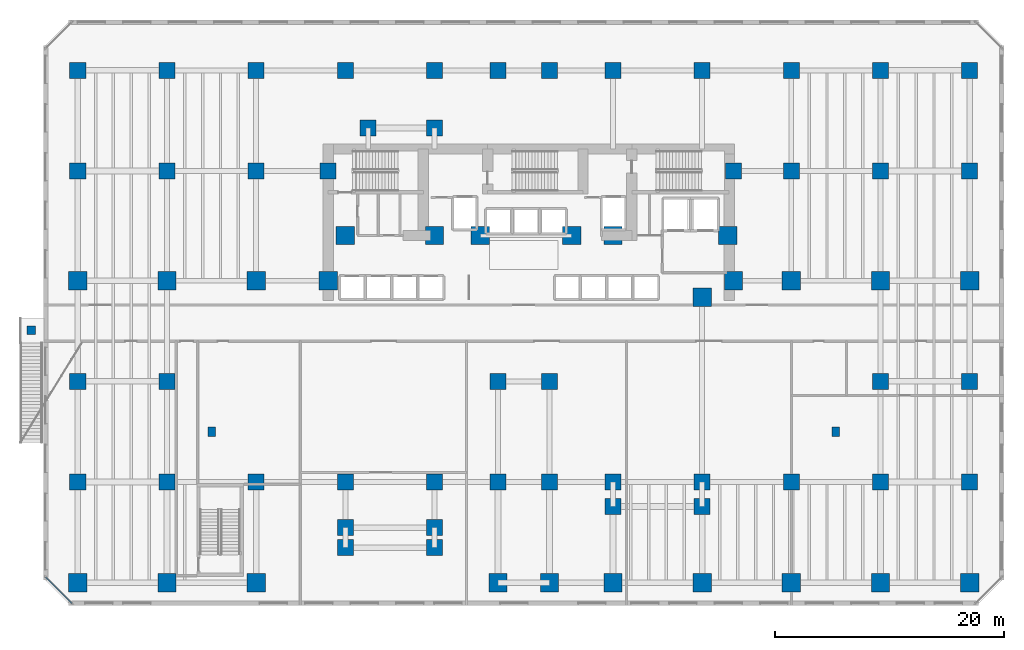
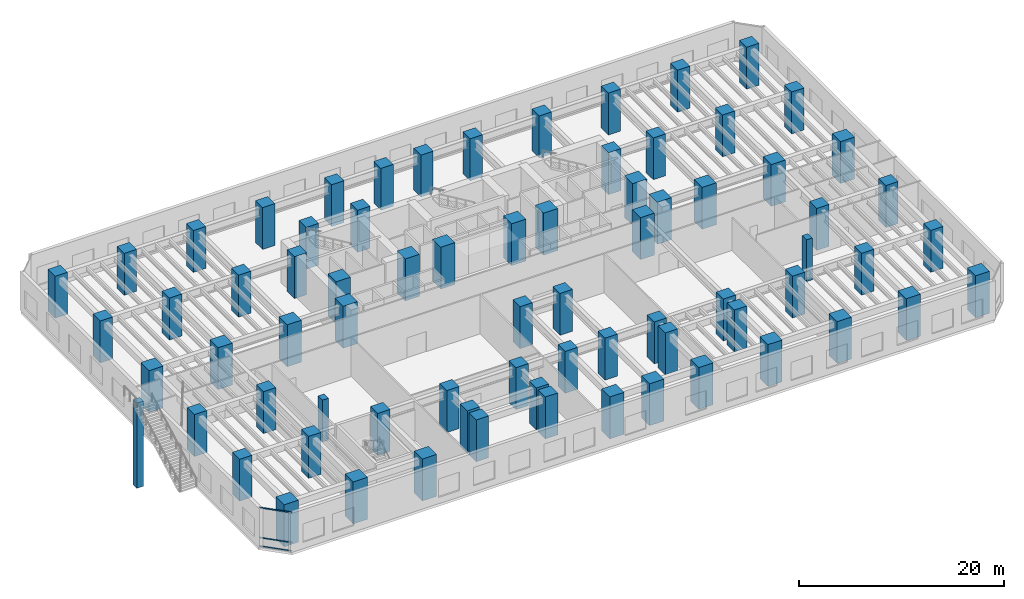
# One storey, part 1 of 19: 74 columns, 3 members, 1 element without a shape of its own.
"""IFC4 building model written with IfcOpenShell, lengths in metres."""

from ifc_helpers import new_model, si_unit, direction, frame, origin, origin_2d, place, context, subcontext, project, spatial, rectangle, hollow_rectangle, extrude, material, layer, layer_set, material_profile, profile_set, type_object, element, aggregate, save


model = new_model("IFC4")

# Units and contexts
model_context = context("Model", 3, precision=1e-05, world=origin(), true_north=direction((0.0, 1.0)))
body_context = subcontext(model_context, "Body", "Model", "MODEL_VIEW")
ifc_project = project(units=[si_unit("LENGTHUNIT", "METRE"), si_unit("AREAUNIT", "SQUARE_METRE"), si_unit("VOLUMEUNIT", "CUBIC_METRE"), si_unit("PLANEANGLEUNIT", "RADIAN"), si_unit("MASSUNIT", "GRAM", prefix="KILO")], contexts=[model_context])

# Site, building, storey
site_placement = place(None, origin())
site = spatial("IfcSite", under=ifc_project, at=site_placement, CompositionType="ELEMENT")
building_placement = place(site_placement, origin())
building = spatial("IfcBuilding", under=site, at=building_placement, Name="Kestravale Grand Hotel", CompositionType="ELEMENT")
storey_placement = place(building_placement, frame((0.0, 0.0, 5.39990234375)))
storey = spatial("IfcBuildingStorey", under=building, at=storey_placement, Name="L01", CompositionType="ELEMENT", Elevation=5.39990234375)

# Columns
ifc_material_1 = material(Name="Concrete f'c 70 MPa", Category="concrete")
ifc_material_profile_1 = material_profile(ifc_material_1, rectangle(XDim=1.39990234375, YDim=1.39990234375, at=origin_2d()))
ifc_profile_set_1 = profile_set([ifc_material_profile_1], Name="Concrete f'c 70 MPa")
column_type_1 = type_object("IfcColumnType", Name="C-Z1-1400", PredefinedType="COLUMN", material=ifc_profile_set_1)
for number, where, z_axis, x_axis, name in (
    (1, (0.0, 11.199951171875, 0.0), (0.0, 0.0, 1.0), (1.0, 0.0, 0.0), "L01 column 1-C"),
    (2, (0.0, 20.0, 0.0), (0.0, 0.0, 1.0), (1.0, 0.0, 0.0), "L01 column 1-D"),
    (3, (0.0, 38.39990234375, 0.0), (0.0, 0.0, 1.0), (1.0, 0.0, 0.0), "L01 column 1-F"),
    (4, (0.0, 47.199951171875, 0.0), (0.0, 0.0, 1.0), (1.0, 0.0, 0.0), "L01 column 1-G"),
    (5, (7.800048828125, 11.199951171875, 0.0), (0.0, 0.0, 1.0), (1.0, 0.0, 0.0), "L01 column 2-C"),
    (6, (7.800048828125, 20.0, 0.0), (0.0, 0.0, 1.0), (1.0, 0.0, 0.0), "L01 column 2-D"),
    (7, (7.800048828125, 38.39990234375, 0.0), (0.0, 0.0, 1.0), (1.0, 0.0, 0.0), "L01 column 2-F"),
    (8, (7.800048828125, 47.199951171875, 0.0), (0.0, 0.0, 1.0), (1.0, 0.0, 0.0), "L01 column 2-G"),
    (9, (15.60009765625, 11.199951171875, 0.0), (0.0, 0.0, 1.0), (1.0, 0.0, 0.0), "L01 column 3-C"),
    (10, (15.60009765625, 38.39990234375, 0.0), (0.0, 0.0, 1.0), (1.0, 0.0, 0.0), "L01 column 3-F"),
    (11, (15.60009765625, 47.199951171875, 0.0), (0.0, 0.0, 1.0), (1.0, 0.0, 0.0), "L01 column 3-G"),
    (12, (23.39990234375, 11.199951171875, 0.0), (0.0, 0.0, 1.0), (1.0, 0.0, 0.0), "L01 column 4-C"),
    (13, (23.39990234375, 47.199951171875, 0.0), (0.0, 0.0, 1.0), (1.0, 0.0, 0.0), "L01 column 4-G"),
    (14, (31.199951171875, 11.199951171875, 0.0), (0.0, 0.0, 1.0), (1.0, 0.0, 0.0), "L01 column 5-C"),
    (15, (31.199951171875, 47.199951171875, 0.0), (0.0, 0.0, 1.0), (1.0, 0.0, 0.0), "L01 column 5-G"),
    (16, (36.75, 11.199951171875, 0.0), (0.0, 0.0, 1.0), (1.0, 0.0, 0.0), "L01 column 6-C"),
    (17, (36.75, 20.0, 0.0), (0.0, 0.0, 1.0), (1.0, 0.0, 0.0), "L01 column 6-D"),
    (18, (36.75, 47.199951171875, 0.0), (0.0, 0.0, 1.0), (1.0, 0.0, 0.0), "L01 column 6-G"),
    (19, (41.25, 11.199951171875, 0.0), (0.0, 0.0, 1.0), (1.0, 0.0, 0.0), "L01 column 7-C"),
    (20, (41.25, 20.0, 0.0), (0.0, 0.0, 1.0), (1.0, 0.0, 0.0), "L01 column 7-D"),
    (21, (41.25, 47.199951171875, 0.0), (0.0, 0.0, 1.0), (1.0, 0.0, 0.0), "L01 column 7-G"),
    (22, (46.800048828125, 11.199951171875, 0.0), (0.0, 0.0, 1.0), (1.0, 0.0, 0.0), "L01 column 8-C"),
    (23, (46.800048828125, 47.199951171875, 0.0), (0.0, 0.0, 1.0), (1.0, 0.0, 0.0), "L01 column 8-G"),
    (24, (54.60009765625, 11.199951171875, 0.0), (0.0, 0.0, 1.0), (1.0, 0.0, 0.0), "L01 column 9-C"),
    (25, (54.60009765625, 47.199951171875, 0.0), (0.0, 0.0, 1.0), (1.0, 0.0, 0.0), "L01 column 9-G"),
    (26, (62.39990234375, 11.199951171875, 0.0), (0.0, 0.0, 1.0), (1.0, 0.0, 0.0), "L01 column 10-C"),
    (27, (62.39990234375, 38.39990234375, 0.0), (0.0, 0.0, 1.0), (1.0, 0.0, 0.0), "L01 column 10-F"),
    (28, (62.39990234375, 47.199951171875, 0.0), (0.0, 0.0, 1.0), (1.0, 0.0, 0.0), "L01 column 10-G"),
    (29, (70.199951171875, 11.199951171875, 0.0), (0.0, 0.0, 1.0), (1.0, 0.0, 0.0), "L01 column 11-C"),
    (30, (70.199951171875, 20.0, 0.0), (0.0, 0.0, 1.0), (1.0, 0.0, 0.0), "L01 column 11-D"),
    (31, (70.199951171875, 38.39990234375, 0.0), (0.0, 0.0, 1.0), (1.0, 0.0, 0.0), "L01 column 11-F"),
    (32, (70.199951171875, 47.199951171875, 0.0), (0.0, 0.0, 1.0), (1.0, 0.0, 0.0), "L01 column 11-G"),
    (33, (78.0, 11.199951171875, 0.0), (0.0, 0.0, 1.0), (1.0, 0.0, 0.0), "L01 column 12-C"),
    (34, (78.0, 20.0, 0.0), (0.0, 0.0, 1.0), (1.0, 0.0, 0.0), "L01 column 12-D"),
    (35, (78.0, 38.39990234375, 0.0), (0.0, 0.0, 1.0), (1.0, 0.0, 0.0), "L01 column 12-F"),
    (36, (78.0, 47.199951171875, 0.0), (0.0, 0.0, 1.0), (1.0, 0.0, 0.0), "L01 column 12-G"),
    (37, (21.89990234375, 38.39990234375, 0.0), (0.0, 0.0, 1.0), (1.0, 0.0, 0.0), "L01 column CW-F"),
    (38, (57.35009765625, 38.39990234375, 0.0), (0.0, 0.0, 1.0), (1.0, 0.0, 0.0), "L01 column CE-F"),
    (39, (23.39990234375, 7.199951171875, 0.0), (0.0, 0.0, 1.0), (1.0, 0.0, 0.0), "L01 column 4-BS"),
    (40, (31.199951171875, 7.199951171875, 0.0), (0.0, 0.0, 1.0), (1.0, 0.0, 0.0), "L01 column 5-BS"),
    (41, (25.39990234375, 42.14990234375, 0.0), (0.0, 0.0, 1.0), (1.0, 0.0, 0.0), "L01 column 4-FN"),
    (42, (31.199951171875, 42.14990234375, 0.0), (0.0, 0.0, 1.0), (1.0, 0.0, 0.0), "L01 column 5-FN"),
    (43, (23.39990234375, 5.449951171875, 0.0), (0.0, 0.0, 1.0), (1.0, 0.0, 0.0), "L01 column 4-B1S"),
    (44, (31.199951171875, 5.449951171875, 0.0), (0.0, 0.0, 1.0), (1.0, 0.0, 0.0), "L01 column 5-B1S"),
    (45, (46.800048828125, 9.050048828125, 0.0), (0.0, 0.0, 1.0), (1.0, 0.0, 0.0), "L01 column 8-B1E"),
    (46, (54.60009765625, 9.050048828125, 0.0), (0.0, 0.0, 1.0), (1.0, 0.0, 0.0), "L01 column 9-B1E"),
):
    element("IfcColumn", number, at=place(storey_placement, frame(where, z_axis=z_axis, x_axis=x_axis)), inside=storey, type_object=column_type_1, Name=name, PredefinedType="COLUMN", context=body_context, shape_type="SweptSolid", body=[
        extrude(rectangle(XDim=1.39990234375, YDim=1.39990234375, at=origin_2d()), origin(), (0.0, 0.0, 1.0), 5.0),
    ])
ifc_material_2 = material(Name="Concrete f'c 70 MPa", Category="concrete")
ifc_material_profile_2 = material_profile(ifc_material_2, rectangle(XDim=1.60009765625, YDim=1.60009765625, at=origin_2d()))
ifc_profile_set_2 = profile_set([ifc_material_profile_2], Name="Concrete f'c 70 MPa")
column_type_2 = type_object("IfcColumnType", Name="C-Z1-1600", PredefinedType="COLUMN", material=ifc_profile_set_2)
for number, where, z_axis, x_axis, name in (
    (47, (0.0, 2.39990234375, 0.0), (0.0, 0.0, 1.0), (1.0, 0.0, 0.0), "L01 column 1-B"),
    (48, (0.0, 28.800048828125, 0.0), (0.0, 0.0, 1.0), (1.0, 0.0, 0.0), "L01 column 1-E"),
    (49, (7.800048828125, 2.39990234375, 0.0), (0.0, 0.0, 1.0), (1.0, 0.0, 0.0), "L01 column 2-B"),
    (50, (7.800048828125, 28.800048828125, 0.0), (0.0, 0.0, 1.0), (1.0, 0.0, 0.0), "L01 column 2-E"),
    (51, (15.60009765625, 2.39990234375, 0.0), (0.0, 0.0, 1.0), (1.0, 0.0, 0.0), "L01 column 3-B"),
    (52, (15.60009765625, 28.800048828125, 0.0), (0.0, 0.0, 1.0), (1.0, 0.0, 0.0), "L01 column 3-E"),
    (53, (36.75, 2.39990234375, 0.0), (0.0, 0.0, 1.0), (1.0, 0.0, 0.0), "L01 column 6-B"),
    (54, (41.25, 2.39990234375, 0.0), (0.0, 0.0, 1.0), (1.0, 0.0, 0.0), "L01 column 7-B"),
    (55, (46.800048828125, 2.39990234375, 0.0), (0.0, 0.0, 1.0), (1.0, 0.0, 0.0), "L01 column 8-B"),
    (56, (54.60009765625, 2.39990234375, 0.0), (0.0, 0.0, 1.0), (1.0, 0.0, 0.0), "L01 column 9-B"),
    (57, (62.39990234375, 2.39990234375, 0.0), (0.0, 0.0, 1.0), (1.0, 0.0, 0.0), "L01 column 10-B"),
    (58, (62.39990234375, 28.800048828125, 0.0), (0.0, 0.0, 1.0), (1.0, 0.0, 0.0), "L01 column 10-E"),
    (59, (70.199951171875, 2.39990234375, 0.0), (0.0, 0.0, 1.0), (1.0, 0.0, 0.0), "L01 column 11-B"),
    (60, (70.199951171875, 28.800048828125, 0.0), (0.0, 0.0, 1.0), (1.0, 0.0, 0.0), "L01 column 11-E"),
    (61, (78.0, 2.39990234375, 0.0), (0.0, 0.0, 1.0), (1.0, 0.0, 0.0), "L01 column 12-B"),
    (62, (78.0, 28.800048828125, 0.0), (0.0, 0.0, 1.0), (1.0, 0.0, 0.0), "L01 column 12-E"),
    (63, (21.89990234375, 28.800048828125, 0.0), (0.0, 0.0, 1.0), (1.0, 0.0, 0.0), "L01 column CW-E"),
    (64, (57.35009765625, 28.800048828125, 0.0), (0.0, 0.0, 1.0), (1.0, 0.0, 0.0), "L01 column CE-E"),
    (65, (23.39990234375, 32.75, 0.0), (0.0, 0.0, 1.0), (1.0, 0.0, 0.0), "L01 column 4-CS"),
    (66, (31.199951171875, 32.75, 0.0), (0.0, 0.0, 1.0), (1.0, 0.0, 0.0), "L01 column 5-CS"),
    (67, (35.199951171875, 32.75, 0.0), (0.0, 0.0, 1.0), (1.0, 0.0, 0.0), "L01 column 6C-CS"),
    (68, (43.199951171875, 32.75, 0.0), (0.0, 0.0, 1.0), (1.0, 0.0, 0.0), "L01 column 7C-CS"),
    (69, (46.800048828125, 32.75, 0.0), (0.0, 0.0, 1.0), (1.0, 0.0, 0.0), "L01 column 8-CS"),
    (70, (54.60009765625, 27.35009765625, 0.0), (0.0, 0.0, 1.0), (1.0, 0.0, 0.0), "L01 column 9-CS"),
    (71, (56.85009765625, 32.75, 0.0), (0.0, 0.0, 1.0), (1.0, 0.0, 0.0), "L01 column 9C-CS"),
):
    element("IfcColumn", number, at=place(storey_placement, frame(where, z_axis=z_axis, x_axis=x_axis)), inside=storey, type_object=column_type_2, Name=name, PredefinedType="COLUMN", context=body_context, shape_type="SweptSolid", body=[
        extrude(rectangle(XDim=1.60009765625, YDim=1.60009765625, at=origin_2d()), origin(), (0.0, 0.0, 1.0), 5.0),
    ])
ifc_material_3 = material(Name="Precast concrete f'c 45 MPa", Category="concrete")
ifc_material_profile_3 = material_profile(ifc_material_3, rectangle(XDim=0.64990234375, YDim=0.85009765625, at=origin_2d()))
ifc_profile_set_3 = profile_set([ifc_material_profile_3], Name="Precast concrete f'c 45 MPa")
column_type_3 = type_object("IfcColumnType", Name="C-Z1-PIL850", PredefinedType="PILASTER", material=ifc_profile_set_3)
for number, where, z_axis, x_axis, name in (
    (72, (11.699951171875, 15.60009765625, 0.0), (0.0, 0.0, 1.0), (1.0, 0.0, 0.0), "L01 Art Deco fluted pilaster P1"),
    (73, (66.300048828125, 15.60009765625, 0.0), (0.0, 0.0, 1.0), (1.0, 0.0, 0.0), "L01 Art Deco fluted pilaster P2"),
):
    element("IfcColumn", number, at=place(storey_placement, frame(where, z_axis=z_axis, x_axis=x_axis)), inside=storey, type_object=column_type_3, Name=name, PredefinedType="PILASTER", context=body_context, shape_type="SweptSolid", body=[
        extrude(rectangle(XDim=0.64990234375, YDim=0.85009765625, at=origin_2d()), origin(), (0.0, 0.0, 1.0), 5.0),
    ])
ifc_material_4 = material(Name="Concrete f'c 50 MPa", Category="concrete")
ifc_material_profile_4 = material_profile(ifc_material_4, rectangle(XDim=0.75, YDim=0.75, at=origin_2d()))
ifc_profile_set_4 = profile_set([ifc_material_profile_4], Name="Concrete f'c 50 MPa")
column_type_4 = type_object("IfcColumnType", Name="C-Z4-750", PredefinedType="COLUMN", material=ifc_profile_set_4)
column_placement = place(storey_placement, frame((-4.050048828125, 24.4599609375, -5.39990234375), z_axis=(0.0, 0.0, 1.0), x_axis=(1.0, 0.0, 0.0)))
element("IfcColumn", 74, at=column_placement, inside=storey, type_object=column_type_4, Name="Garden stair 2 pier column", PredefinedType="COLUMN", context=body_context, shape_type="SweptSolid", body=[
    extrude(rectangle(XDim=0.75, YDim=0.75, at=origin_2d()), origin(), (0.0, 0.0, 1.0), 10.14990234375),
])

# Curtain wall, members
ifc_material_5 = material(Name="Thermally broken champagne-bronze aluminium and low-E glazing", Category="aluminium")
ifc_layer = layer(ifc_material_5, 0.239990234375)
ifc_layer_set = layer_set([ifc_layer], Name="CW-POD")
curtain_wall_type = type_object("IfcCurtainWallType", Name="CW-POD", PredefinedType="NOTDEFINED", material=ifc_layer_set)
curtain_wall_placement = place(storey_placement, origin())
curtain_wall = element("IfcCurtainWall", 75, at=curtain_wall_placement, inside=storey, type_object=curtain_wall_type, Name="L01 unitised curtain wall 8", PredefinedType="NOTDEFINED")
ifc_material_6 = material(Name="Aluminium 6063-T6 anodised", Category="aluminium")
ifc_material_profile_5 = material_profile(ifc_material_6, hollow_rectangle(XDim=0.074951171875, YDim=0.139892578125, WallThickness=0.00341796875, at=origin_2d()))
ifc_profile_set_5 = profile_set([ifc_material_profile_5], Name="Aluminium 6063-T6 anodised")
member_type = type_object("IfcMemberType", Name="CW-TRN-140", PredefinedType="USERDEFINED", material=ifc_profile_set_5)
member_1_placement = place(storey_placement, frame((-2.819580078125, 2.888427734375, 0.03759765625), z_axis=(0.707069380992, -0.707144179403, 0.0), x_axis=(0.707144179403, 0.707069380992, 0.0)))
member_1 = element("IfcMember", 76, at=member_1_placement, type_object=member_type, Name="CW-POD transom 1.1", ObjectType="TRANSOM", PredefinedType="USERDEFINED", context=body_context, shape_type="SweptSolid", body=[
    extrude(hollow_rectangle(XDim=0.074951171875, YDim=0.139892578125, WallThickness=0.00341796875, at=origin_2d()), origin(), (0.0, 0.0, 1.0), 3.263916015625),
])
member_2_placement = place(storey_placement, frame((-2.819580078125, 2.888427734375, 1.050048828125), z_axis=(0.707069380992, -0.707144179403, 0.0), x_axis=(0.707144179403, 0.707069380992, 0.0)))
member_2 = element("IfcMember", 77, at=member_2_placement, type_object=member_type, Name="CW-POD transom 1.2", ObjectType="TRANSOM", PredefinedType="USERDEFINED", context=body_context, shape_type="SweptSolid", body=[
    extrude(hollow_rectangle(XDim=0.074951171875, YDim=0.139892578125, WallThickness=0.00341796875, at=origin_2d()), origin(), (0.0, 0.0, 1.0), 3.263916015625),
])
member_3_placement = place(storey_placement, frame((-2.819580078125, 2.888427734375, 4.612548828125), z_axis=(0.707069380992, -0.707144179403, 0.0), x_axis=(0.707144179403, 0.707069380992, 0.0)))
member_3 = element("IfcMember", 78, at=member_3_placement, type_object=member_type, Name="CW-POD transom 1.3", ObjectType="TRANSOM", PredefinedType="USERDEFINED", context=body_context, shape_type="SweptSolid", body=[
    extrude(hollow_rectangle(XDim=0.074951171875, YDim=0.139892578125, WallThickness=0.00341796875, at=origin_2d()), origin(), (0.0, 0.0, 1.0), 3.263916015625),
])
aggregate(curtain_wall, [member_1, member_2, member_3])

save(model, "model.ifc")
